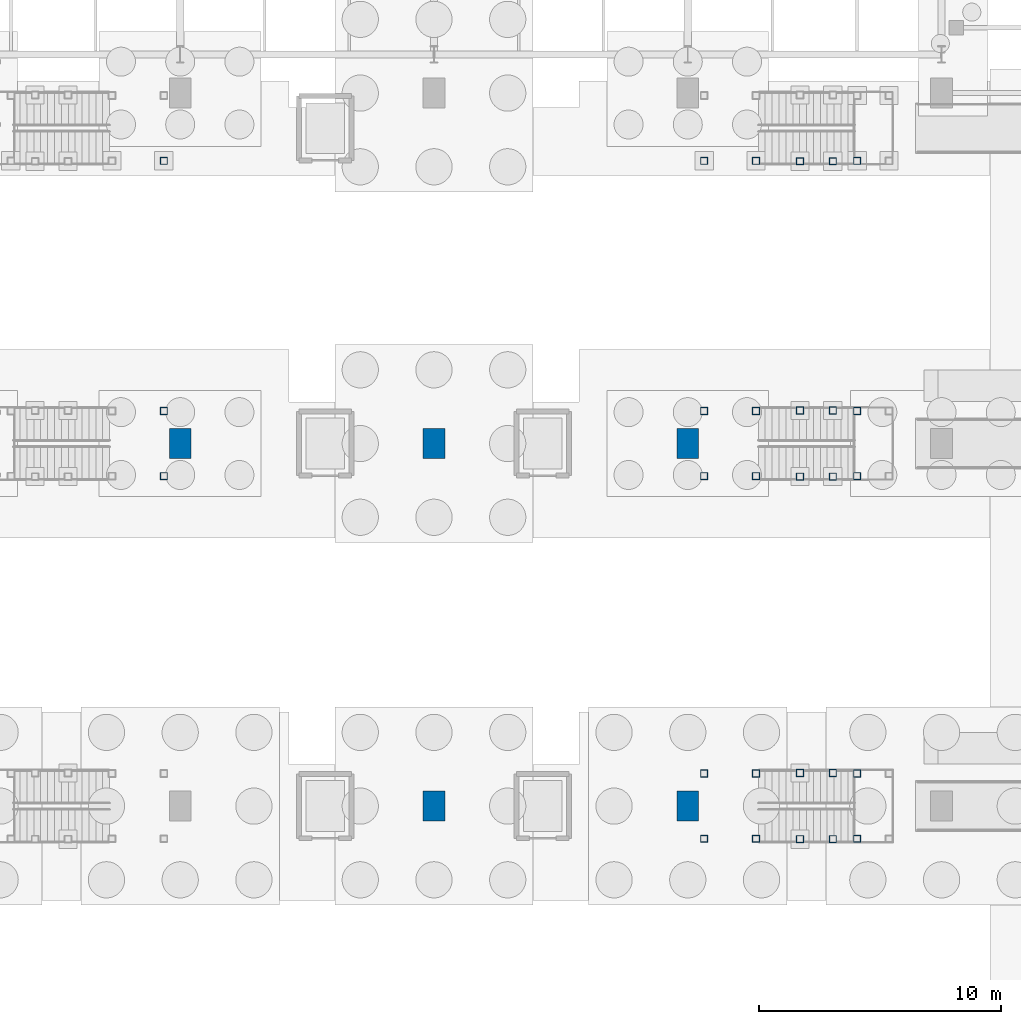
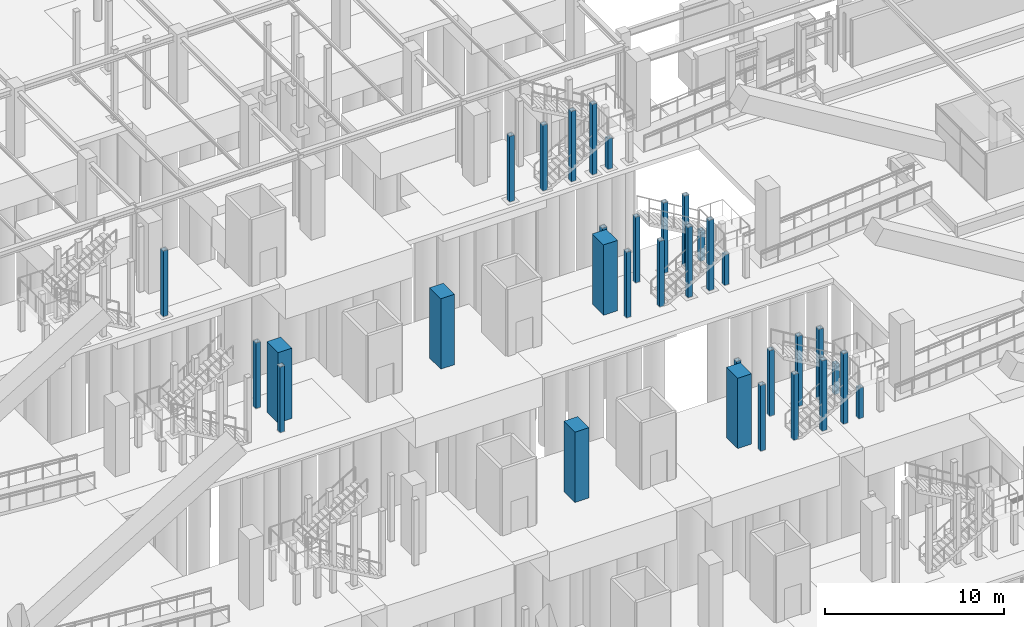
# One storey, part 23 of 160: 33 columns.
"""IFC4 building model written with IfcOpenShell, lengths in metres."""

import ifcopenshell
import ifcopenshell.guid

model = None  # the IFC model being written
_history = None  # IfcOwnerHistory: only IFC2X3 demands one
_inside = {}  # id of a spatial element -> (the spatial element, [elements in it])
_under = {}  # id of a project, library or spatial element -> (it, [spatial elements below it])
_declared = {}  # id of a project -> (the project, [libraries it declares])
_typed = {}  # id of a type object -> (the type object, [elements of that type])
_made_of = {}  # id of a material, layer set ... -> (it, [elements and type objects made of it])


def new_model(schema):
    """Start an empty IFC model of exactly this schema.

    Asked for "IFC4X3", IfcOpenShell would pick the latest addendum, in which some entities
    have other attributes; the version numbers below select the first issue.
    IFC2X3 requires an IfcOwnerHistory on every rooted entity: one is made here for all.
    """
    global model, _history
    if schema == "IFC4X3":
        model = ifcopenshell.file(schema_version=(4, 3, 0, 0))
    else:
        model = ifcopenshell.file(schema=schema)
    _inside.clear()
    _under.clear()
    _declared.clear()
    _typed.clear()
    _made_of.clear()
    _history = None
    if model.schema == "IFC2X3":
        org = make("IfcOrganization", Name="unknown")
        user = make(
            "IfcPersonAndOrganization",
            ThePerson=make("IfcPerson", FamilyName="unknown"),
            TheOrganization=org,
        )
        app = make(
            "IfcApplication",
            ApplicationDeveloper=org,
            Version="unknown",
            ApplicationFullName="unknown",
            ApplicationIdentifier="unknown",
        )
        _history = make(
            "IfcOwnerHistory",
            OwningUser=user,
            OwningApplication=app,
            ChangeAction="ADDED",
            CreationDate=0,
        )
    return model


def make(cls, **values):
    """One entity of the class cls with the attributes given. An attribute that is None is left unset."""
    return model.create_entity(
        cls, **{name: value for name, value in values.items() if value is not None}
    )


def rooted(cls, **values):
    """An entity with a GlobalId (a new one), such as an element, a storey or a relation."""
    return make(cls, GlobalId=ifcopenshell.guid.new(), OwnerHistory=_history, **values)


def si_unit(unit_type, name, prefix=None):
    """IfcSIUnit, for example si_unit("LENGTHUNIT", "METRE", prefix="MILLI")."""
    return make("IfcSIUnit", UnitType=unit_type, Prefix=prefix, Name=name)


def assignment(units):
    """IfcUnitAssignment: the units of a project."""
    return None if units is None else make("IfcUnitAssignment", Units=units)


def point(xyz):
    """IfcCartesianPoint."""
    return None if xyz is None else make("IfcCartesianPoint", Coordinates=xyz)


def direction(xyz):
    """IfcDirection."""
    return None if xyz is None else make("IfcDirection", DirectionRatios=xyz)


def frame(location, z_axis=None, x_axis=None):
    """IfcAxis2Placement3D, a coordinate frame: its origin and axes. An axis left out is left unset."""
    return make(
        "IfcAxis2Placement3D",
        Location=point(location),
        Axis=direction(z_axis),
        RefDirection=direction(x_axis),
    )


def frame_2d(location, x_axis=None):
    """IfcAxis2Placement2D, a coordinate frame in the plane: its origin and x axis."""
    return make(
        "IfcAxis2Placement2D", Location=point(location), RefDirection=direction(x_axis)
    )


def origin():
    """The frame at (0, 0, 0) with its axes left unset."""
    return frame((0.0, 0.0, 0.0))


def origin_2d():
    """The frame at (0, 0) in the plane with its x axis left unset."""
    return frame_2d((0.0, 0.0))


def place(relative_to, where):
    """IfcLocalPlacement: puts the frame where relative to a parent placement (None: the world)."""
    return make(
        "IfcLocalPlacement", PlacementRelTo=relative_to, RelativePlacement=where
    )


def context(
    kind, dimensions, precision=None, world=None, true_north=None, identifier=None
):
    """IfcGeometricRepresentationContext, for example the 3D "Model" context."""
    return make(
        "IfcGeometricRepresentationContext",
        ContextIdentifier=identifier,
        ContextType=kind,
        CoordinateSpaceDimension=dimensions,
        Precision=precision,
        WorldCoordinateSystem=world,
        TrueNorth=true_north,
    )


def subcontext(parent, identifier, kind, view, scale=None):
    """IfcGeometricRepresentationSubContext, for example "Body" below "Model"."""
    return make(
        "IfcGeometricRepresentationSubContext",
        ContextIdentifier=identifier,
        ContextType=kind,
        ParentContext=parent,
        TargetScale=scale,
        TargetView=view,
    )


def project(units=None, contexts=None):
    """IfcProject with its units and contexts."""
    return rooted(
        "IfcProject",
        Name="project",
        RepresentationContexts=contexts,
        UnitsInContext=assignment(units),
    )


def spatial(cls, under=None, at=None, **own):
    """A site, building, storey or space (cls), placed at a placement, below another one or the project."""
    s = rooted(cls, ObjectPlacement=at, **own)
    if under is not None:
        _under.setdefault(under.id(), (under, []))[1].append(s)
    return s


def profile(cls, at=None, kind="AREA", **sizes):
    """A parametric profile (cls). Its sizes go by their IFC names, for example OverallWidth=200.0."""
    return make(cls, ProfileType=kind, Position=at, **sizes)


def rectangle(**sizes):
    """IfcRectangleProfileDef."""
    return profile("IfcRectangleProfileDef", **sizes)


def hollow_rectangle(**sizes):
    """IfcRectangleHollowProfileDef."""
    return profile("IfcRectangleHollowProfileDef", **sizes)


def extrude(swept, where, along, depth):
    """IfcExtrudedAreaSolid: the profile swept, set in the frame where, extruded along a direction by depth."""
    return make(
        "IfcExtrudedAreaSolid",
        SweptArea=swept,
        Position=where,
        ExtrudedDirection=direction(along),
        Depth=depth,
    )


def shape(context_of_items, identifier, shape_type, items):
    """IfcShapeRepresentation: the items that make up one representation, for example the "Body"."""
    return make(
        "IfcShapeRepresentation",
        ContextOfItems=context_of_items,
        RepresentationIdentifier=identifier,
        RepresentationType=shape_type,
        Items=items,
    )


def material(Name=None, Category=None):
    """IfcMaterial."""
    return make("IfcMaterial", Name=Name, Category=Category)


def material_profile(
    of_material, cross_section, Name=None, Category=None, Priority=None
):
    """IfcMaterialProfile: a cross section and its material."""
    return make(
        "IfcMaterialProfile",
        Name=Name,
        Material=of_material,
        Profile=cross_section,
        Priority=Priority,
        Category=Category,
    )


def profile_set(profiles, Name=None, composite=None):
    """IfcMaterialProfileSet."""
    return make(
        "IfcMaterialProfileSet",
        Name=Name,
        MaterialProfiles=profiles,
        CompositeProfile=composite,
    )


def made_of(thing, what):
    """Note that an element or type object is made of a material, layer set ...; save() writes the relation."""
    if what is not None:
        _made_of.setdefault(what.id(), (what, []))[1].append(thing)
    return thing


def type_object(cls, material=None, **own):
    """A type object (cls), such as IfcWallType, which elements share."""
    return made_of(rooted(cls, **own), material)


def element(
    cls,
    number,
    at=None,
    inside=None,
    cuts=None,
    type_object=None,
    material=None,
    context=None,
    identifier="Body",
    shape_type=None,
    held_by="IfcProductDefinitionShape",
    body=None,
    shapes=None,
    **own,
):
    """One element of the class cls, such as IfcWall. Its Tag is "e" and its number.

    at: its placement. inside: the storey or other place that contains it. cuts: it is an
    opening in that element (IfcRelVoidsElement). A single representation is given by context,
    identifier, shape_type and body (its items); several are given by shapes. held_by: the class
    of the entity that holds the representations. save() writes the other relations.
    """
    e = rooted(cls, Tag="e%d" % number, ObjectPlacement=at, **own)
    if body is not None:
        shapes = [shape(context, identifier, shape_type, body)]
    if shapes is not None:
        e.Representation = make(held_by, Representations=shapes)
    if inside is not None:
        _inside.setdefault(inside.id(), (inside, []))[1].append(e)
    if cuts is not None:
        rooted(
            "IfcRelVoidsElement", RelatingBuildingElement=cuts, RelatedOpeningElement=e
        )
    if type_object is not None:
        _typed.setdefault(type_object.id(), (type_object, []))[1].append(e)
    return made_of(e, material)


def aggregate(whole, parts):
    """IfcRelAggregates: a whole, such as a stair, and the parts it consists of."""
    return rooted("IfcRelAggregates", RelatingObject=whole, RelatedObjects=parts)


def save(model, path):
    """Write the relations noted so far, then the file.

    IfcRelAggregates (storeys below a building ...), IfcRelContainedInSpatialStructure (elements
    in a storey), IfcRelDefinesByType, IfcRelAssociatesMaterial and IfcRelDeclares: one each for
    every whole, place, type object, material and project.
    """
    for whole, parts in _under.values():
        aggregate(whole, parts)
    for where, things in _inside.values():
        rooted(
            "IfcRelContainedInSpatialStructure",
            RelatedElements=things,
            RelatingStructure=where,
        )
    for kind, things in _typed.values():
        rooted("IfcRelDefinesByType", RelatedObjects=things, RelatingType=kind)
    for what, things in _made_of.values():
        rooted("IfcRelAssociatesMaterial", RelatedObjects=things, RelatingMaterial=what)
    for by, libraries in _declared.values():
        rooted("IfcRelDeclares", RelatingContext=by, RelatedDefinitions=libraries)
    model.write(path)


model = new_model("IFC4")

# Units and contexts
model_context = context("Model", 3, precision=1e-05, world=origin(), true_north=direction((0.0, 1.0)))
body_context = subcontext(model_context, "Body", "Model", "MODEL_VIEW")
ifc_project = project(units=[si_unit("LENGTHUNIT", "METRE"), si_unit("AREAUNIT", "SQUARE_METRE"), si_unit("VOLUMEUNIT", "CUBIC_METRE"), si_unit("PLANEANGLEUNIT", "RADIAN"), si_unit("MASSUNIT", "GRAM", prefix="KILO")], contexts=[model_context])

# Site, building, storey
site_placement = place(None, origin())
site = spatial("IfcSite", under=ifc_project, at=site_placement, CompositionType="ELEMENT")
building_placement = place(site_placement, origin())
building = spatial("IfcBuilding", under=site, at=building_placement, Name="Marlcrest Central Station", CompositionType="ELEMENT")
storey_placement = place(building_placement, origin())
storey = spatial("IfcBuildingStorey", under=building, at=storey_placement, Name="L00", CompositionType="ELEMENT", Elevation=0.0)

# Columns
ifc_material_1 = material(Name="Concrete C50/60", Category="concrete")
ifc_material_profile_1 = material_profile(ifc_material_1, rectangle(XDim=0.89990234375, YDim=1.25, at=origin_2d()), Name="RC 900x1250")
ifc_profile_set_1 = profile_set([ifc_material_profile_1], Name="Concrete C50/60")
column_type_1 = type_object("IfcColumnType", Name="RC-12", PredefinedType="COLUMN", material=ifc_profile_set_1)
for number, where, z_axis, x_axis, name in (
    (1, (97.5, 81.0, 0.0), (0.0, 0.0, 1.0), (1.0, 0.0, 0.0), "col-RC-12-L00-0633"),
    (2, (108.0, 66.0, 0.0), (0.0, 0.0, 1.0), (1.0, 0.0, 0.0), "col-RC-12-L00-0641"),
    (3, (108.0, 81.0, 0.0), (0.0, 0.0, 1.0), (1.0, 0.0, 0.0), "col-RC-12-L00-0643"),
    (4, (118.5, 66.0, 0.0), (0.0, 0.0, 1.0), (1.0, 0.0, 0.0), "col-RC-12-L00-0651"),
    (5, (118.5, 81.0, 0.0), (0.0, 0.0, 1.0), (1.0, 0.0, 0.0), "col-RC-12-L00-0653"),
):
    element("IfcColumn", number, at=place(storey_placement, frame(where, z_axis=z_axis, x_axis=x_axis)), inside=storey, type_object=column_type_1, Name=name, PredefinedType="COLUMN", context=body_context, shape_type="SweptSolid", body=[
        extrude(rectangle(XDim=0.89990234375, YDim=1.25, at=origin_2d()), origin(), (0.0, 0.0, 1.0), 4.800048828125),
    ])
ifc_material_2 = material(Name="Steel S355", Category="steel")
ifc_material_profile_2 = material_profile(ifc_material_2, hollow_rectangle(XDim=0.300048828125, YDim=0.300048828125, WallThickness=0.01611328125, at=origin_2d()), Name="SHS 300x300x16")
ifc_profile_set_2 = profile_set([ifc_material_profile_2], Name="Steel S355")
column_type_2 = type_object("IfcColumnType", Name="SC-19", PredefinedType="COLUMN", material=ifc_profile_set_2)
for number, where, z_axis, x_axis, name in (
    (6, (119.179931640625, 64.64990234375, 0.0), (0.0, 0.0, 1.0), (1.0, 0.0, 0.0), "stcol-tr-0016-1191-646"),
    (7, (119.179931640625, 67.35009765625, 0.0), (0.0, 0.0, 1.0), (1.0, 0.0, 0.0), "stcol-tr-0016-1191-673"),
    (8, (121.320068359375, 64.64990234375, 0.0), (0.0, 0.0, 1.0), (1.0, 0.0, 0.0), "stcol-tr-0016-1213-646"),
    (9, (121.320068359375, 67.35009765625, 0.0), (0.0, 0.0, 1.0), (1.0, 0.0, 0.0), "stcol-tr-0016-1213-673"),
):
    element("IfcColumn", number, at=place(storey_placement, frame(where, z_axis=z_axis, x_axis=x_axis)), inside=storey, type_object=column_type_2, Name=name, PredefinedType="COLUMN", context=body_context, shape_type="SweptSolid", body=[
        extrude(hollow_rectangle(XDim=0.300048828125, YDim=0.300048828125, WallThickness=0.01611328125, at=origin_2d()), origin(), (0.0, 0.0, 1.0), 4.47998046875),
    ])
for number, where, z_axis, x_axis, name in (
    (10, (125.510009765625, 64.64990234375, 0.0), (0.0, 0.0, 1.0), (1.0, 0.0, 0.0), "stcol-0017-1255-646"),
    (11, (125.510009765625, 67.35009765625, 0.0), (0.0, 0.0, 1.0), (1.0, 0.0, 0.0), "stcol-0017-1255-673"),
):
    element("IfcColumn", number, at=place(storey_placement, frame(where, z_axis=z_axis, x_axis=x_axis)), inside=storey, type_object=column_type_2, Name=name, PredefinedType="COLUMN", context=body_context, shape_type="SweptSolid", body=[
        extrude(hollow_rectangle(XDim=0.300048828125, YDim=0.300048828125, WallThickness=0.01611328125, at=origin_2d()), origin(), (0.0, 0.0, 1.0), 2.080078125),
    ])
for number, where, z_axis, x_axis, name in (
    (12, (123.139892578125, 64.6298828125, 0.0), (0.0, 0.0, 1.0), (1.0, 0.0, 0.0), "stcol-hi0-0018-1231-646"),
    (13, (123.139892578125, 67.3701171875, 0.0), (0.0, 0.0, 1.0), (1.0, 0.0, 0.0), "stcol-hi0-0018-1231-673"),
    (14, (124.5, 64.6298828125, 0.0), (0.0, 0.0, 1.0), (1.0, 0.0, 0.0), "stcol-hi0-0018-1245-646"),
    (15, (124.5, 67.3701171875, 0.0), (0.0, 0.0, 1.0), (1.0, 0.0, 0.0), "stcol-hi0-0018-1245-673"),
):
    element("IfcColumn", number, at=place(storey_placement, frame(where, z_axis=z_axis, x_axis=x_axis)), inside=storey, type_object=column_type_2, Name=name, PredefinedType="COLUMN", context=body_context, shape_type="SweptSolid", body=[
        extrude(hollow_rectangle(XDim=0.300048828125, YDim=0.300048828125, WallThickness=0.01611328125, at=origin_2d()), origin(), (0.0, 0.0, 1.0), 4.800048828125),
    ])
for number, where, z_axis, x_axis, name in (
    (16, (96.820068359375, 79.64990234375, 0.0), (0.0, 0.0, 1.0), (1.0, 0.0, 0.0), "stcol-tr-0019-968-796"),
    (17, (96.820068359375, 82.35009765625, 0.0), (0.0, 0.0, 1.0), (1.0, 0.0, 0.0), "stcol-tr-0019-968-823"),
    (18, (119.179931640625, 79.64990234375, 0.0), (0.0, 0.0, 1.0), (1.0, 0.0, 0.0), "stcol-tr-0022-1191-796"),
    (19, (119.179931640625, 82.35009765625, 0.0), (0.0, 0.0, 1.0), (1.0, 0.0, 0.0), "stcol-tr-0022-1191-823"),
    (20, (121.320068359375, 79.64990234375, 0.0), (0.0, 0.0, 1.0), (1.0, 0.0, 0.0), "stcol-tr-0022-1213-796"),
    (21, (121.320068359375, 82.35009765625, 0.0), (0.0, 0.0, 1.0), (1.0, 0.0, 0.0), "stcol-tr-0022-1213-823"),
):
    element("IfcColumn", number, at=place(storey_placement, frame(where, z_axis=z_axis, x_axis=x_axis)), inside=storey, type_object=column_type_2, Name=name, PredefinedType="COLUMN", context=body_context, shape_type="SweptSolid", body=[
        extrude(hollow_rectangle(XDim=0.300048828125, YDim=0.300048828125, WallThickness=0.01611328125, at=origin_2d()), origin(), (0.0, 0.0, 1.0), 4.47998046875),
    ])
for number, where, z_axis, x_axis, name in (
    (22, (125.510009765625, 79.64990234375, 0.0), (0.0, 0.0, 1.0), (1.0, 0.0, 0.0), "stcol-0023-1255-796"),
    (23, (125.510009765625, 82.35009765625, 0.0), (0.0, 0.0, 1.0), (1.0, 0.0, 0.0), "stcol-0023-1255-823"),
):
    element("IfcColumn", number, at=place(storey_placement, frame(where, z_axis=z_axis, x_axis=x_axis)), inside=storey, type_object=column_type_2, Name=name, PredefinedType="COLUMN", context=body_context, shape_type="SweptSolid", body=[
        extrude(hollow_rectangle(XDim=0.300048828125, YDim=0.300048828125, WallThickness=0.01611328125, at=origin_2d()), origin(), (0.0, 0.0, 1.0), 2.080078125),
    ])
for number, where, z_axis, x_axis, name in (
    (24, (123.139892578125, 79.6298828125, 0.0), (0.0, 0.0, 1.0), (1.0, 0.0, 0.0), "stcol-hi0-0024-1231-796"),
    (25, (123.139892578125, 82.3701171875, 0.0), (0.0, 0.0, 1.0), (1.0, 0.0, 0.0), "stcol-hi0-0024-1231-823"),
    (26, (124.5, 79.6298828125, 0.0), (0.0, 0.0, 1.0), (1.0, 0.0, 0.0), "stcol-hi0-0024-1245-796"),
    (27, (124.5, 82.3701171875, 0.0), (0.0, 0.0, 1.0), (1.0, 0.0, 0.0), "stcol-hi0-0024-1245-823"),
):
    element("IfcColumn", number, at=place(storey_placement, frame(where, z_axis=z_axis, x_axis=x_axis)), inside=storey, type_object=column_type_2, Name=name, PredefinedType="COLUMN", context=body_context, shape_type="SweptSolid", body=[
        extrude(hollow_rectangle(XDim=0.300048828125, YDim=0.300048828125, WallThickness=0.01611328125, at=origin_2d()), origin(), (0.0, 0.0, 1.0), 4.800048828125),
    ])
for number, where, z_axis, x_axis, name in (
    (28, (96.820068359375, 92.699951171875, 0.0), (0.0, 0.0, 1.0), (1.0, 0.0, 0.0), "stcol-tr-0025-968-927"),
    (29, (119.179931640625, 92.699951171875, 0.0), (0.0, 0.0, 1.0), (1.0, 0.0, 0.0), "stcol-tr-0028-1191-927"),
    (30, (121.320068359375, 92.699951171875, 0.0), (0.0, 0.0, 1.0), (1.0, 0.0, 0.0), "stcol-tr-0028-1213-927"),
):
    element("IfcColumn", number, at=place(storey_placement, frame(where, z_axis=z_axis, x_axis=x_axis)), inside=storey, type_object=column_type_2, Name=name, PredefinedType="COLUMN", context=body_context, shape_type="SweptSolid", body=[
        extrude(hollow_rectangle(XDim=0.300048828125, YDim=0.300048828125, WallThickness=0.01611328125, at=origin_2d()), origin(), (0.0, 0.0, 1.0), 4.47998046875),
    ])
column_placement = place(storey_placement, frame((125.510009765625, 92.699951171875, 0.0), z_axis=(0.0, 0.0, 1.0), x_axis=(1.0, 0.0, 0.0)))
element("IfcColumn", 31, at=column_placement, inside=storey, type_object=column_type_2, Name="stcol-0029-1255-927", PredefinedType="COLUMN", context=body_context, shape_type="SweptSolid", body=[
    extrude(hollow_rectangle(XDim=0.300048828125, YDim=0.300048828125, WallThickness=0.01611328125, at=origin_2d()), origin(), (0.0, 0.0, 1.0), 2.080078125),
])
for number, where, z_axis, x_axis, name in (
    (32, (123.139892578125, 92.679931640625, 0.0), (0.0, 0.0, 1.0), (1.0, 0.0, 0.0), "stcol-hi0-0030-1231-926"),
    (33, (124.5, 92.679931640625, 0.0), (0.0, 0.0, 1.0), (1.0, 0.0, 0.0), "stcol-hi0-0030-1245-926"),
):
    element("IfcColumn", number, at=place(storey_placement, frame(where, z_axis=z_axis, x_axis=x_axis)), inside=storey, type_object=column_type_2, Name=name, PredefinedType="COLUMN", context=body_context, shape_type="SweptSolid", body=[
        extrude(hollow_rectangle(XDim=0.300048828125, YDim=0.300048828125, WallThickness=0.01611328125, at=origin_2d()), origin(), (0.0, 0.0, 1.0), 4.800048828125),
    ])

save(model, "model.ifc")
